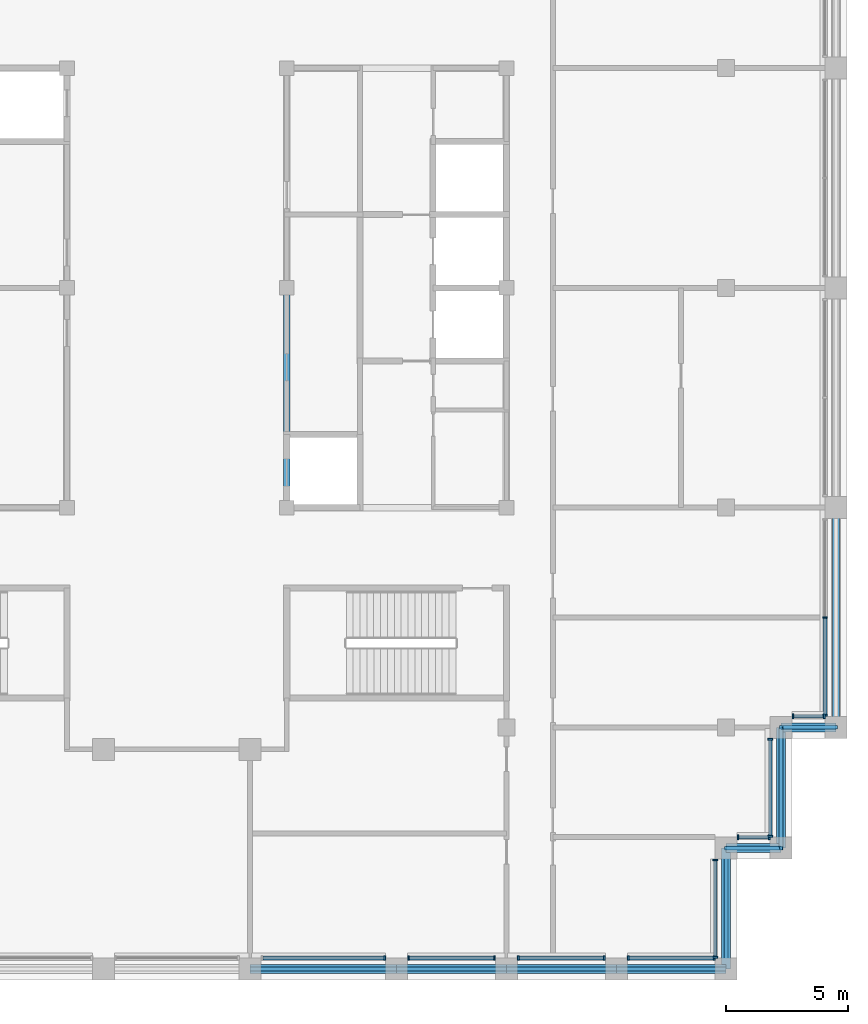
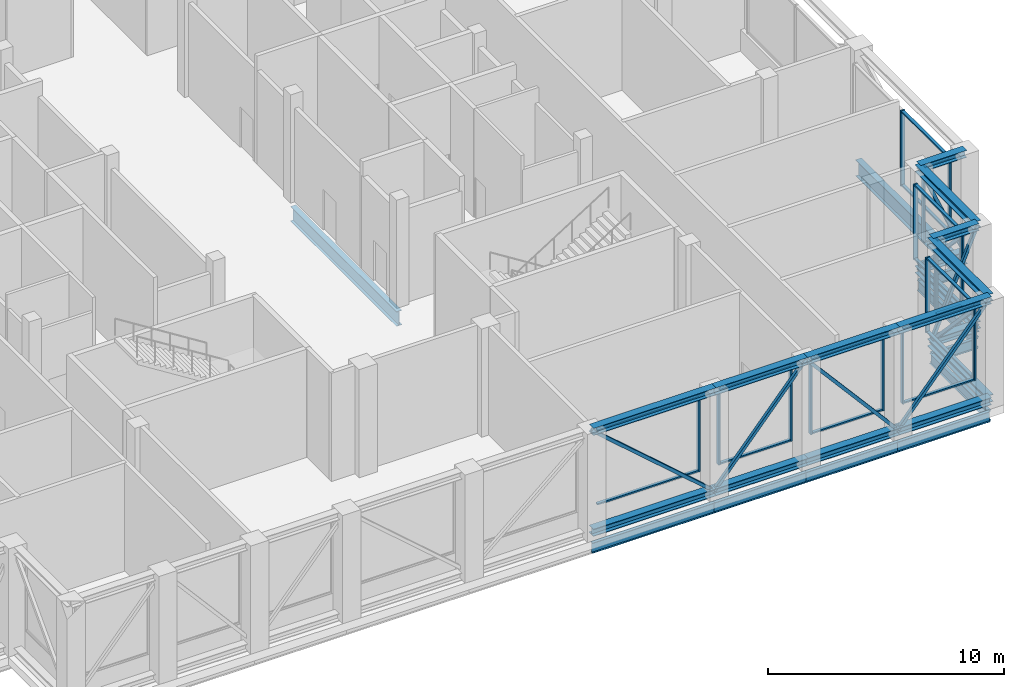
# One storey, part 4 of 17: 59 members, 10 beams, 9 elements without a shape of their own.
"""IFC4 building model written with IfcOpenShell, lengths in metres."""

from ifc_helpers import new_model, si_unit, direction, frame, origin, origin_2d, place, context, subcontext, project, spatial, rectangle, hollow_rectangle, i_section, extrude, material, layer, layer_set, material_profile, profile_set, type_object, element, aggregate, save


model = new_model("IFC4")

# Units and contexts
model_context = context("Model", 3, precision=1e-05, world=origin(), true_north=direction((0.0, 1.0)))
body_context = subcontext(model_context, "Body", "Model", "MODEL_VIEW")
ifc_project = project(units=[si_unit("LENGTHUNIT", "METRE"), si_unit("AREAUNIT", "SQUARE_METRE"), si_unit("VOLUMEUNIT", "CUBIC_METRE"), si_unit("PLANEANGLEUNIT", "RADIAN"), si_unit("MASSUNIT", "GRAM", prefix="KILO")], contexts=[model_context])

# Site, building, storey
site_placement = place(None, origin())
site = spatial("IfcSite", under=ifc_project, at=site_placement, CompositionType="ELEMENT")
building_placement = place(site_placement, origin())
building = spatial("IfcBuilding", under=site, at=building_placement, Name="Corbelhall Arena Tower", CompositionType="ELEMENT")
storey_placement = place(building_placement, frame((0.0, 0.0, 350.0)))
storey = spatial("IfcBuildingStorey", under=building, at=storey_placement, Name="L77", CompositionType="ELEMENT", Elevation=350.0)

# Curtain wall, member
ifc_material_1 = material(Name="Aluminium black anodised", Category="aluminium")
ifc_layer = layer(ifc_material_1, 0.199951171875)
ifc_layer_set = layer_set([ifc_layer], Name="EV-CW5 Sky band glazing")
curtain_wall_type = type_object("IfcCurtainWallType", Name="EV-CW5 Sky band glazing", PredefinedType="NOTDEFINED", material=ifc_layer_set)
curtain_wall_1_placement = place(storey_placement, origin())
curtain_wall_1 = element("IfcCurtainWall", 1, at=curtain_wall_1_placement, inside=storey, type_object=curtain_wall_type, Name="Curtain wall CW5C", PredefinedType="NOTDEFINED")
ifc_material_profile_1 = material_profile(ifc_material_1, rectangle(XDim=0.199951171875, YDim=0.074951171875, at=origin_2d()))
ifc_profile_set_1 = profile_set([ifc_material_profile_1], Name="Aluminium black anodised")
member_type_1 = type_object("IfcMemberType", Name="EV-CW5-MULLION", PredefinedType="MULLION", material=ifc_profile_set_1)
member_1_placement = place(storey_placement, frame((8.512451171875, -27.449951171875, 1.10009765625), z_axis=(0.0, 0.0, 1.0), x_axis=(0.0, 1.0, 0.0)))
member_1 = element("IfcMember", 2, at=member_1_placement, type_object=member_type_1, Name="CW5C mullion 2", PredefinedType="MULLION", context=body_context, shape_type="SweptSolid", body=[
    extrude(rectangle(XDim=0.199951171875, YDim=0.074951171875, at=origin_2d()), origin(), (0.0, 0.0, 1.0), 3.8994140625),
])

# Curtain wall, members
curtain_wall_2_placement = place(storey_placement, origin())
curtain_wall_2 = element("IfcCurtainWall", 3, at=curtain_wall_2_placement, inside=storey, type_object=curtain_wall_type, Name="Curtain wall CW5A", PredefinedType="NOTDEFINED")
member_2_placement = place(storey_placement, frame((9.487548828125, -27.449951171875, 1.10009765625), z_axis=(0.0, 0.0, 1.0), x_axis=(0.0, 1.0, 0.0)))
member_2 = element("IfcMember", 4, at=member_2_placement, type_object=member_type_1, Name="CW5A mullion 1", PredefinedType="MULLION", context=body_context, shape_type="SweptSolid", body=[
    extrude(rectangle(XDim=0.199951171875, YDim=0.074951171875, at=origin_2d()), origin(), (0.0, 0.0, 1.0), 3.8994140625),
])
member_3_placement = place(storey_placement, frame((13.012451171875, -27.449951171875, 1.10009765625), z_axis=(0.0, 0.0, 1.0), x_axis=(0.0, 1.0, 0.0)))
member_3 = element("IfcMember", 5, at=member_3_placement, type_object=member_type_1, Name="CW5A mullion 2", PredefinedType="MULLION", context=body_context, shape_type="SweptSolid", body=[
    extrude(rectangle(XDim=0.199951171875, YDim=0.074951171875, at=origin_2d()), origin(), (0.0, 0.0, 1.0), 3.8994140625),
])

curtain_wall_3_placement = place(storey_placement, origin())
curtain_wall_3 = element("IfcCurtainWall", 6, at=curtain_wall_3_placement, inside=storey, type_object=curtain_wall_type, Name="Curtain wall CW5A", PredefinedType="NOTDEFINED")
member_4_placement = place(storey_placement, frame((13.987548828125, -27.449951171875, 1.10009765625), z_axis=(0.0, 0.0, 1.0), x_axis=(0.0, 1.0, 0.0)))
member_4 = element("IfcMember", 7, at=member_4_placement, type_object=member_type_1, Name="CW5A mullion 1", PredefinedType="MULLION", context=body_context, shape_type="SweptSolid", body=[
    extrude(rectangle(XDim=0.199951171875, YDim=0.074951171875, at=origin_2d()), origin(), (0.0, 0.0, 1.0), 3.8994140625),
])
member_5_placement = place(storey_placement, frame((17.512451171875, -27.449951171875, 1.10009765625), z_axis=(0.0, 0.0, 1.0), x_axis=(0.0, 1.0, 0.0)))
member_5 = element("IfcMember", 8, at=member_5_placement, type_object=member_type_1, Name="CW5A mullion 2", PredefinedType="MULLION", context=body_context, shape_type="SweptSolid", body=[
    extrude(rectangle(XDim=0.199951171875, YDim=0.074951171875, at=origin_2d()), origin(), (0.0, 0.0, 1.0), 3.8994140625),
])

curtain_wall_4_placement = place(storey_placement, origin())
curtain_wall_4 = element("IfcCurtainWall", 9, at=curtain_wall_4_placement, inside=storey, type_object=curtain_wall_type, Name="Curtain wall CW5A", PredefinedType="NOTDEFINED")
member_6_placement = place(storey_placement, frame((18.487548828125, -27.449951171875, 1.10009765625), z_axis=(0.0, 0.0, 1.0), x_axis=(0.0, 1.0, 0.0)))
member_6 = element("IfcMember", 10, at=member_6_placement, type_object=member_type_1, Name="CW5A mullion 1", PredefinedType="MULLION", context=body_context, shape_type="SweptSolid", body=[
    extrude(rectangle(XDim=0.199951171875, YDim=0.074951171875, at=origin_2d()), origin(), (0.0, 0.0, 1.0), 3.8994140625),
])
member_7_placement = place(storey_placement, frame((22.012451171875, -27.449951171875, 1.10009765625), z_axis=(0.0, 0.0, 1.0), x_axis=(0.0, 1.0, 0.0)))
member_7 = element("IfcMember", 11, at=member_7_placement, type_object=member_type_1, Name="CW5A mullion 2", PredefinedType="MULLION", context=body_context, shape_type="SweptSolid", body=[
    extrude(rectangle(XDim=0.199951171875, YDim=0.074951171875, at=origin_2d()), origin(), (0.0, 0.0, 1.0), 3.8994140625),
])

curtain_wall_5_placement = place(storey_placement, origin())
curtain_wall_5 = element("IfcCurtainWall", 12, at=curtain_wall_5_placement, inside=storey, type_object=curtain_wall_type, Name="Curtain wall CW5", PredefinedType="NOTDEFINED")
member_8_placement = place(storey_placement, frame((22.050048828125, -27.41259765625, 1.10009765625), z_axis=(0.0, 0.0, 1.0), x_axis=(-1.0, 0.0, 0.0)))
member_8 = element("IfcMember", 13, at=member_8_placement, type_object=member_type_1, Name="CW5 mullion 1", PredefinedType="MULLION", context=body_context, shape_type="SweptSolid", body=[
    extrude(rectangle(XDim=0.199951171875, YDim=0.074951171875, at=origin_2d()), origin(), (0.0, 0.0, 1.0), 3.8994140625),
])
member_9_placement = place(storey_placement, frame((22.050048828125, -23.4375, 1.10009765625), z_axis=(0.0, 0.0, 1.0), x_axis=(-1.0, 0.0, 0.0)))
member_9 = element("IfcMember", 14, at=member_9_placement, type_object=member_type_1, Name="CW5 mullion 2", PredefinedType="MULLION", context=body_context, shape_type="SweptSolid", body=[
    extrude(rectangle(XDim=0.199951171875, YDim=0.074951171875, at=origin_2d()), origin(), (0.0, 0.0, 1.0), 3.8994140625),
])

curtain_wall_6_placement = place(storey_placement, origin())
curtain_wall_6 = element("IfcCurtainWall", 15, at=curtain_wall_6_placement, inside=storey, type_object=curtain_wall_type, Name="Curtain wall CW5B", PredefinedType="NOTDEFINED")
member_10_placement = place(storey_placement, frame((22.987548828125, -22.5, 1.10009765625), z_axis=(0.0, 0.0, 1.0), x_axis=(0.0, 1.0, 0.0)))
member_10 = element("IfcMember", 16, at=member_10_placement, type_object=member_type_1, Name="CW5B mullion 1", PredefinedType="MULLION", context=body_context, shape_type="SweptSolid", body=[
    extrude(rectangle(XDim=0.199951171875, YDim=0.074951171875, at=origin_2d()), origin(), (0.0, 0.0, 1.0), 3.8994140625),
])
member_11_placement = place(storey_placement, frame((24.262451171875, -22.5, 1.10009765625), z_axis=(0.0, 0.0, 1.0), x_axis=(0.0, 1.0, 0.0)))
member_11 = element("IfcMember", 17, at=member_11_placement, type_object=member_type_1, Name="CW5B mullion 2", PredefinedType="MULLION", context=body_context, shape_type="SweptSolid", body=[
    extrude(rectangle(XDim=0.199951171875, YDim=0.074951171875, at=origin_2d()), origin(), (0.0, 0.0, 1.0), 3.8994140625),
])

curtain_wall_7_placement = place(storey_placement, origin())
curtain_wall_7 = element("IfcCurtainWall", 18, at=curtain_wall_7_placement, inside=storey, type_object=curtain_wall_type, Name="Curtain wall CW5", PredefinedType="NOTDEFINED")
member_12_placement = place(storey_placement, frame((24.300048828125, -22.46240234375, 1.10009765625), z_axis=(0.0, 0.0, 1.0), x_axis=(-1.0, 0.0, 0.0)))
member_12 = element("IfcMember", 19, at=member_12_placement, type_object=member_type_1, Name="CW5 mullion 1", PredefinedType="MULLION", context=body_context, shape_type="SweptSolid", body=[
    extrude(rectangle(XDim=0.199951171875, YDim=0.074951171875, at=origin_2d()), origin(), (0.0, 0.0, 1.0), 3.8994140625),
])
member_13_placement = place(storey_placement, frame((24.300048828125, -18.487548828125, 1.10009765625), z_axis=(0.0, 0.0, 1.0), x_axis=(-1.0, 0.0, 0.0)))
member_13 = element("IfcMember", 20, at=member_13_placement, type_object=member_type_1, Name="CW5 mullion 2", PredefinedType="MULLION", context=body_context, shape_type="SweptSolid", body=[
    extrude(rectangle(XDim=0.199951171875, YDim=0.074951171875, at=origin_2d()), origin(), (0.0, 0.0, 1.0), 3.8994140625),
])

curtain_wall_8_placement = place(storey_placement, origin())
curtain_wall_8 = element("IfcCurtainWall", 21, at=curtain_wall_8_placement, inside=storey, type_object=curtain_wall_type, Name="Curtain wall CW5B", PredefinedType="NOTDEFINED")
member_14_placement = place(storey_placement, frame((25.237548828125, -17.550048828125, 1.10009765625), z_axis=(0.0, 0.0, 1.0), x_axis=(0.0, 1.0, 0.0)))
member_14 = element("IfcMember", 22, at=member_14_placement, type_object=member_type_1, Name="CW5B mullion 1", PredefinedType="MULLION", context=body_context, shape_type="SweptSolid", body=[
    extrude(rectangle(XDim=0.199951171875, YDim=0.074951171875, at=origin_2d()), origin(), (0.0, 0.0, 1.0), 3.8994140625),
])
member_15_placement = place(storey_placement, frame((26.512451171875, -17.550048828125, 1.10009765625), z_axis=(0.0, 0.0, 1.0), x_axis=(0.0, 1.0, 0.0)))
member_15 = element("IfcMember", 23, at=member_15_placement, type_object=member_type_1, Name="CW5B mullion 2", PredefinedType="MULLION", context=body_context, shape_type="SweptSolid", body=[
    extrude(rectangle(XDim=0.199951171875, YDim=0.074951171875, at=origin_2d()), origin(), (0.0, 0.0, 1.0), 3.8994140625),
])

curtain_wall_9_placement = place(storey_placement, origin())
curtain_wall_9 = element("IfcCurtainWall", 24, at=curtain_wall_9_placement, inside=storey, type_object=curtain_wall_type, Name="Curtain wall CW5", PredefinedType="NOTDEFINED")
member_16_placement = place(storey_placement, frame((26.550048828125, -17.512451171875, 1.10009765625), z_axis=(0.0, 0.0, 1.0), x_axis=(-1.0, 0.0, 0.0)))
member_16 = element("IfcMember", 25, at=member_16_placement, type_object=member_type_1, Name="CW5 mullion 1", PredefinedType="MULLION", context=body_context, shape_type="SweptSolid", body=[
    extrude(rectangle(XDim=0.199951171875, YDim=0.074951171875, at=origin_2d()), origin(), (0.0, 0.0, 1.0), 3.8994140625),
])
member_17_placement = place(storey_placement, frame((26.550048828125, -13.5, 1.10009765625), z_axis=(0.0, 0.0, 1.0), x_axis=(-1.0, 0.0, 0.0)))
member_17 = element("IfcMember", 26, at=member_17_placement, type_object=member_type_1, Name="CW5 mullion 2", PredefinedType="MULLION", context=body_context, shape_type="SweptSolid", body=[
    extrude(rectangle(XDim=0.199951171875, YDim=0.074951171875, at=origin_2d()), origin(), (0.0, 0.0, 1.0), 3.8994140625),
])

# Member
ifc_material_profile_2 = material_profile(ifc_material_1, rectangle(XDim=0.14990234375, YDim=0.074951171875, at=origin_2d()))
ifc_profile_set_2 = profile_set([ifc_material_profile_2], Name="Aluminium black anodised")
member_type_2 = type_object("IfcMemberType", Name="EV-CW5-TRANSOM", PredefinedType="USERDEFINED", material=ifc_profile_set_2)
member_18_placement = place(storey_placement, frame((3.52490234375, -27.449951171875, 1.137451171875), z_axis=(1.0, 0.0, 0.0), x_axis=(0.0, 1.0, 0.0)))
member_18 = element("IfcMember", 27, at=member_18_placement, type_object=member_type_2, Name="CW5C transom 1.1", ObjectType="transom", PredefinedType="USERDEFINED", context=body_context, shape_type="SweptSolid", body=[
    extrude(rectangle(XDim=0.14990234375, YDim=0.074951171875, at=origin_2d()), origin(), (0.0, 0.0, 1.0), 4.9501953125),
])

member_19_placement = place(storey_placement, frame((3.52490234375, -27.449951171875, 4.962158203125), z_axis=(1.0, 0.0, 0.0), x_axis=(0.0, 1.0, 0.0)))
member_19 = element("IfcMember", 28, at=member_19_placement, type_object=member_type_2, Name="CW5C transom 1.2", ObjectType="transom", PredefinedType="USERDEFINED", context=body_context, shape_type="SweptSolid", body=[
    extrude(rectangle(XDim=0.14990234375, YDim=0.074951171875, at=origin_2d()), origin(), (0.0, 0.0, 1.0), 4.9501953125),
])

aggregate(curtain_wall_1, [member_1, member_18, member_19])

member_20_placement = place(storey_placement, frame((9.52490234375, -27.449951171875, 1.137451171875), z_axis=(1.0, 0.0, 0.0), x_axis=(0.0, 1.0, 0.0)))
member_20 = element("IfcMember", 29, at=member_20_placement, type_object=member_type_2, Name="CW5A transom 1.1", ObjectType="transom", PredefinedType="USERDEFINED", context=body_context, shape_type="SweptSolid", body=[
    extrude(rectangle(XDim=0.14990234375, YDim=0.074951171875, at=origin_2d()), origin(), (0.0, 0.0, 1.0), 3.4501953125),
])

member_21_placement = place(storey_placement, frame((9.52490234375, -27.449951171875, 4.962158203125), z_axis=(1.0, 0.0, 0.0), x_axis=(0.0, 1.0, 0.0)))
member_21 = element("IfcMember", 30, at=member_21_placement, type_object=member_type_2, Name="CW5A transom 1.2", ObjectType="transom", PredefinedType="USERDEFINED", context=body_context, shape_type="SweptSolid", body=[
    extrude(rectangle(XDim=0.14990234375, YDim=0.074951171875, at=origin_2d()), origin(), (0.0, 0.0, 1.0), 3.4501953125),
])

aggregate(curtain_wall_2, [member_2, member_3, member_20, member_21])

member_22_placement = place(storey_placement, frame((14.02490234375, -27.449951171875, 1.137451171875), z_axis=(1.0, 0.0, 0.0), x_axis=(0.0, 1.0, 0.0)))
member_22 = element("IfcMember", 31, at=member_22_placement, type_object=member_type_2, Name="CW5A transom 1.1", ObjectType="transom", PredefinedType="USERDEFINED", context=body_context, shape_type="SweptSolid", body=[
    extrude(rectangle(XDim=0.14990234375, YDim=0.074951171875, at=origin_2d()), origin(), (0.0, 0.0, 1.0), 3.4501953125),
])

member_23_placement = place(storey_placement, frame((14.02490234375, -27.449951171875, 4.962158203125), z_axis=(1.0, 0.0, 0.0), x_axis=(0.0, 1.0, 0.0)))
member_23 = element("IfcMember", 32, at=member_23_placement, type_object=member_type_2, Name="CW5A transom 1.2", ObjectType="transom", PredefinedType="USERDEFINED", context=body_context, shape_type="SweptSolid", body=[
    extrude(rectangle(XDim=0.14990234375, YDim=0.074951171875, at=origin_2d()), origin(), (0.0, 0.0, 1.0), 3.4501953125),
])

aggregate(curtain_wall_3, [member_4, member_5, member_22, member_23])

member_24_placement = place(storey_placement, frame((18.52490234375, -27.449951171875, 1.137451171875), z_axis=(1.0, 0.0, 0.0), x_axis=(0.0, 1.0, 0.0)))
member_24 = element("IfcMember", 33, at=member_24_placement, type_object=member_type_2, Name="CW5A transom 1.1", ObjectType="transom", PredefinedType="USERDEFINED", context=body_context, shape_type="SweptSolid", body=[
    extrude(rectangle(XDim=0.14990234375, YDim=0.074951171875, at=origin_2d()), origin(), (0.0, 0.0, 1.0), 3.4501953125),
])

member_25_placement = place(storey_placement, frame((18.52490234375, -27.449951171875, 4.962158203125), z_axis=(1.0, 0.0, 0.0), x_axis=(0.0, 1.0, 0.0)))
member_25 = element("IfcMember", 34, at=member_25_placement, type_object=member_type_2, Name="CW5A transom 1.2", ObjectType="transom", PredefinedType="USERDEFINED", context=body_context, shape_type="SweptSolid", body=[
    extrude(rectangle(XDim=0.14990234375, YDim=0.074951171875, at=origin_2d()), origin(), (0.0, 0.0, 1.0), 3.4501953125),
])

aggregate(curtain_wall_4, [member_6, member_7, member_24, member_25])

member_26_placement = place(storey_placement, frame((22.050048828125, -27.375, 1.137451171875), z_axis=(0.0, 1.0, 0.0), x_axis=(-1.0, 0.0, 0.0)))
member_26 = element("IfcMember", 35, at=member_26_placement, type_object=member_type_2, Name="CW5 transom 1.1", ObjectType="transom", PredefinedType="USERDEFINED", context=body_context, shape_type="SweptSolid", body=[
    extrude(rectangle(XDim=0.14990234375, YDim=0.074951171875, at=origin_2d()), origin(), (0.0, 0.0, 1.0), 3.89990234375),
])

member_27_placement = place(storey_placement, frame((22.050048828125, -27.375, 4.962158203125), z_axis=(0.0, 1.0, 0.0), x_axis=(-1.0, 0.0, 0.0)))
member_27 = element("IfcMember", 36, at=member_27_placement, type_object=member_type_2, Name="CW5 transom 1.2", ObjectType="transom", PredefinedType="USERDEFINED", context=body_context, shape_type="SweptSolid", body=[
    extrude(rectangle(XDim=0.14990234375, YDim=0.074951171875, at=origin_2d()), origin(), (0.0, 0.0, 1.0), 3.89990234375),
])

aggregate(curtain_wall_5, [member_8, member_9, member_26, member_27])

member_28_placement = place(storey_placement, frame((23.02490234375, -22.5, 1.137451171875), z_axis=(1.0, 0.0, 0.0), x_axis=(0.0, 1.0, 0.0)))
member_28 = element("IfcMember", 37, at=member_28_placement, type_object=member_type_2, Name="CW5B transom 1.1", ObjectType="transom", PredefinedType="USERDEFINED", context=body_context, shape_type="SweptSolid", body=[
    extrude(rectangle(XDim=0.14990234375, YDim=0.074951171875, at=origin_2d()), origin(), (0.0, 0.0, 1.0), 1.2001953125),
])

member_29_placement = place(storey_placement, frame((23.02490234375, -22.5, 4.962158203125), z_axis=(1.0, 0.0, 0.0), x_axis=(0.0, 1.0, 0.0)))
member_29 = element("IfcMember", 38, at=member_29_placement, type_object=member_type_2, Name="CW5B transom 1.2", ObjectType="transom", PredefinedType="USERDEFINED", context=body_context, shape_type="SweptSolid", body=[
    extrude(rectangle(XDim=0.14990234375, YDim=0.074951171875, at=origin_2d()), origin(), (0.0, 0.0, 1.0), 1.2001953125),
])

aggregate(curtain_wall_6, [member_10, member_11, member_28, member_29])

member_30_placement = place(storey_placement, frame((24.300048828125, -22.425048828125, 1.137451171875), z_axis=(0.0, 1.0, 0.0), x_axis=(-1.0, 0.0, 0.0)))
member_30 = element("IfcMember", 39, at=member_30_placement, type_object=member_type_2, Name="CW5 transom 1.1", ObjectType="transom", PredefinedType="USERDEFINED", context=body_context, shape_type="SweptSolid", body=[
    extrude(rectangle(XDim=0.14990234375, YDim=0.074951171875, at=origin_2d()), origin(), (0.0, 0.0, 1.0), 3.900146484375),
])

member_31_placement = place(storey_placement, frame((24.300048828125, -22.425048828125, 4.962158203125), z_axis=(0.0, 1.0, 0.0), x_axis=(-1.0, 0.0, 0.0)))
member_31 = element("IfcMember", 40, at=member_31_placement, type_object=member_type_2, Name="CW5 transom 1.2", ObjectType="transom", PredefinedType="USERDEFINED", context=body_context, shape_type="SweptSolid", body=[
    extrude(rectangle(XDim=0.14990234375, YDim=0.074951171875, at=origin_2d()), origin(), (0.0, 0.0, 1.0), 3.900146484375),
])

aggregate(curtain_wall_7, [member_12, member_13, member_30, member_31])

member_32_placement = place(storey_placement, frame((25.27490234375, -17.550048828125, 1.137451171875), z_axis=(1.0, 0.0, 0.0), x_axis=(0.0, 1.0, 0.0)))
member_32 = element("IfcMember", 41, at=member_32_placement, type_object=member_type_2, Name="CW5B transom 1.1", ObjectType="transom", PredefinedType="USERDEFINED", context=body_context, shape_type="SweptSolid", body=[
    extrude(rectangle(XDim=0.14990234375, YDim=0.074951171875, at=origin_2d()), origin(), (0.0, 0.0, 1.0), 1.2001953125),
])

member_33_placement = place(storey_placement, frame((25.27490234375, -17.550048828125, 4.962158203125), z_axis=(1.0, 0.0, 0.0), x_axis=(0.0, 1.0, 0.0)))
member_33 = element("IfcMember", 42, at=member_33_placement, type_object=member_type_2, Name="CW5B transom 1.2", ObjectType="transom", PredefinedType="USERDEFINED", context=body_context, shape_type="SweptSolid", body=[
    extrude(rectangle(XDim=0.14990234375, YDim=0.074951171875, at=origin_2d()), origin(), (0.0, 0.0, 1.0), 1.2001953125),
])

aggregate(curtain_wall_8, [member_14, member_15, member_32, member_33])

member_34_placement = place(storey_placement, frame((26.550048828125, -17.47509765625, 1.137451171875), z_axis=(0.0, 1.0, 0.0), x_axis=(-1.0, 0.0, 0.0)))
member_34 = element("IfcMember", 43, at=member_34_placement, type_object=member_type_2, Name="CW5 transom 1.1", ObjectType="transom", PredefinedType="USERDEFINED", context=body_context, shape_type="SweptSolid", body=[
    extrude(rectangle(XDim=0.14990234375, YDim=0.074951171875, at=origin_2d()), origin(), (0.0, 0.0, 1.0), 3.9375),
])

member_35_placement = place(storey_placement, frame((26.550048828125, -17.47509765625, 4.962158203125), z_axis=(0.0, 1.0, 0.0), x_axis=(-1.0, 0.0, 0.0)))
member_35 = element("IfcMember", 44, at=member_35_placement, type_object=member_type_2, Name="CW5 transom 1.2", ObjectType="transom", PredefinedType="USERDEFINED", context=body_context, shape_type="SweptSolid", body=[
    extrude(rectangle(XDim=0.14990234375, YDim=0.074951171875, at=origin_2d()), origin(), (0.0, 0.0, 1.0), 3.9375),
])

aggregate(curtain_wall_9, [member_16, member_17, member_34, member_35])

# Beam
ifc_material_2 = material(Name="Steel ASTM A992 Gr50", Category="steel")
ifc_material_profile_3 = material_profile(ifc_material_2, i_section(OverallWidth=0.2666015625, OverallDepth=0.761962890625, WebThickness=0.014404296875, FlangeThickness=0.021484375, at=origin_2d()))
ifc_profile_set_3 = profile_set([ifc_material_profile_3], Name="Steel ASTM A992 Gr50")
beam_type_1 = type_object("IfcBeamType", Name="ST-BEAM-W30x116", PredefinedType="BEAM", material=ifc_profile_set_3)
beam_1_placement = place(storey_placement, frame((4.5, -9.0, -0.791015625), z_axis=(0.0, 1.0, 0.0), x_axis=(-1.0, 0.0, 0.0)))
element("IfcBeam", 45, at=beam_1_placement, inside=storey, type_object=beam_type_1, Name="Beam CEE 7", PredefinedType="BEAM", context=body_context, shape_type="SweptSolid", body=[
    extrude(i_section(OverallWidth=0.2666015625, OverallDepth=0.761962890625, WebThickness=0.014404296875, FlangeThickness=0.021484375, at=origin_2d()), origin(), (0.0, 0.0, 1.0), 9.0),
])

# Members
ifc_material_profile_4 = material_profile(ifc_material_2, i_section(OverallWidth=0.373291015625, OverallDepth=0.373291015625, WebThickness=0.016357421875, FlangeThickness=0.026123046875, at=origin_2d()))
ifc_profile_set_4 = profile_set([ifc_material_profile_4], Name="Steel ASTM A992 Gr50")
member_type_3 = type_object("IfcMemberType", Name="ST-CHORD-W14x132", PredefinedType="CHORD", material=ifc_profile_set_4)
for number, where, z_axis, x_axis, name in (
    (46, (27.0, -18.0, 0.186767578125), (-1.0, 0.0, 0.0), (0.0, -1.0, 0.0), "Truss chord BC 5"),
    (47, (27.0, -18.0, 5.412841796875), (-1.0, 0.0, 0.0), (0.0, -1.0, 0.0), "Truss chord TC 5"),
):
    element("IfcMember", number, at=place(storey_placement, frame(where, z_axis=z_axis, x_axis=x_axis)), inside=storey, type_object=member_type_3, Name=name, PredefinedType="CHORD", context=body_context, shape_type="SweptSolid", body=[
        extrude(i_section(OverallWidth=0.373291015625, OverallDepth=0.373291015625, WebThickness=0.016357421875, FlangeThickness=0.026123046875, at=origin_2d()), origin(), (0.0, 0.0, 1.0), 2.25),
    ])
for number, where, z_axis, x_axis, name in (
    (48, (9.0, -27.89990234375, 0.186767578125), (-1.0, 0.0, 0.0), (0.0, -1.0, 0.0), "Truss chord BC 17"),
    (49, (9.0, -27.89990234375, 5.412841796875), (-1.0, 0.0, 0.0), (0.0, -1.0, 0.0), "Truss chord TC 17"),
):
    element("IfcMember", number, at=place(storey_placement, frame(where, z_axis=z_axis, x_axis=x_axis)), inside=storey, type_object=member_type_3, Name=name, PredefinedType="CHORD", context=body_context, shape_type="SweptSolid", body=[
        extrude(i_section(OverallWidth=0.373291015625, OverallDepth=0.373291015625, WebThickness=0.016357421875, FlangeThickness=0.026123046875, at=origin_2d()), origin(), (0.0, 0.0, 1.0), 6.0),
    ])
for number, where, z_axis, x_axis, name in (
    (50, (13.5, -27.89990234375, 0.186767578125), (-1.0, 0.0, 0.0), (0.0, -1.0, 0.0), "Truss chord BC 18"),
    (51, (13.5, -27.89990234375, 5.412841796875), (-1.0, 0.0, 0.0), (0.0, -1.0, 0.0), "Truss chord TC 18"),
    (52, (18.0, -27.89990234375, 0.186767578125), (-1.0, 0.0, 0.0), (0.0, -1.0, 0.0), "Truss chord BC 19"),
    (53, (18.0, -27.89990234375, 5.412841796875), (-1.0, 0.0, 0.0), (0.0, -1.0, 0.0), "Truss chord TC 19"),
    (54, (22.5, -27.89990234375, 0.186767578125), (-1.0, 0.0, 0.0), (0.0, -1.0, 0.0), "Truss chord BC 20"),
    (55, (22.5, -27.89990234375, 5.412841796875), (-1.0, 0.0, 0.0), (0.0, -1.0, 0.0), "Truss chord TC 20"),
):
    element("IfcMember", number, at=place(storey_placement, frame(where, z_axis=z_axis, x_axis=x_axis)), inside=storey, type_object=member_type_3, Name=name, PredefinedType="CHORD", context=body_context, shape_type="SweptSolid", body=[
        extrude(i_section(OverallWidth=0.373291015625, OverallDepth=0.373291015625, WebThickness=0.016357421875, FlangeThickness=0.026123046875, at=origin_2d()), origin(), (0.0, 0.0, 1.0), 4.5),
    ])
for number, where, z_axis, x_axis, name in (
    (56, (22.5, -22.949951171875, 0.186767578125), (0.0, -1.0, 0.0), (1.0, 0.0, 0.0), "Truss chord BC 37"),
    (57, (22.5, -22.949951171875, 5.412841796875), (0.0, -1.0, 0.0), (1.0, 0.0, 0.0), "Truss chord TC 37"),
):
    element("IfcMember", number, at=place(storey_placement, frame(where, z_axis=z_axis, x_axis=x_axis)), inside=storey, type_object=member_type_3, Name=name, PredefinedType="CHORD", context=body_context, shape_type="SweptSolid", body=[
        extrude(i_section(OverallWidth=0.373291015625, OverallDepth=0.373291015625, WebThickness=0.016357421875, FlangeThickness=0.026123046875, at=origin_2d()), origin(), (0.0, 0.0, 1.0), 4.949951171875),
    ])
for number, where, z_axis, x_axis, name in (
    (58, (24.75, -22.949951171875, 0.186767578125), (-1.0, 0.0, 0.0), (0.0, -1.0, 0.0), "Truss chord BC 38"),
    (59, (24.75, -22.949951171875, 5.412841796875), (-1.0, 0.0, 0.0), (0.0, -1.0, 0.0), "Truss chord TC 38"),
):
    element("IfcMember", number, at=place(storey_placement, frame(where, z_axis=z_axis, x_axis=x_axis)), inside=storey, type_object=member_type_3, Name=name, PredefinedType="CHORD", context=body_context, shape_type="SweptSolid", body=[
        extrude(i_section(OverallWidth=0.373291015625, OverallDepth=0.373291015625, WebThickness=0.016357421875, FlangeThickness=0.026123046875, at=origin_2d()), origin(), (0.0, 0.0, 1.0), 2.25),
    ])
for number, where, z_axis, x_axis, name in (
    (60, (24.75, -18.0, 0.186767578125), (0.0, -1.0, 0.0), (1.0, 0.0, 0.0), "Truss chord BC 39"),
    (61, (24.75, -18.0, 5.412841796875), (0.0, -1.0, 0.0), (1.0, 0.0, 0.0), "Truss chord TC 39"),
):
    element("IfcMember", number, at=place(storey_placement, frame(where, z_axis=z_axis, x_axis=x_axis)), inside=storey, type_object=member_type_3, Name=name, PredefinedType="CHORD", context=body_context, shape_type="SweptSolid", body=[
        extrude(i_section(OverallWidth=0.373291015625, OverallDepth=0.373291015625, WebThickness=0.016357421875, FlangeThickness=0.026123046875, at=origin_2d()), origin(), (0.0, 0.0, 1.0), 4.949951171875),
    ])

# Beams
ifc_material_profile_5 = material_profile(ifc_material_2, i_section(OverallWidth=0.16650390625, OverallDepth=0.535888671875, WebThickness=0.01025390625, FlangeThickness=0.0166015625, at=origin_2d()))
ifc_profile_set_5 = profile_set([ifc_material_profile_5], Name="Steel ASTM A992 Gr50")
beam_type_2 = type_object("IfcBeamType", Name="ST-SPANDREL-W21x57", PredefinedType="SPANDREL", material=ifc_profile_set_5)
beam_2_placement = place(storey_placement, frame((27.0, -18.0, -0.677978515625), z_axis=(-1.0, 0.0, 0.0), x_axis=(0.0, -1.0, 0.0)))
element("IfcBeam", 62, at=beam_2_placement, inside=storey, type_object=beam_type_2, Name="Beam SP 5", PredefinedType="SPANDREL", context=body_context, shape_type="SweptSolid", body=[
    extrude(i_section(OverallWidth=0.16650390625, OverallDepth=0.535888671875, WebThickness=0.01025390625, FlangeThickness=0.0166015625, at=origin_2d()), origin(), (0.0, 0.0, 1.0), 2.25),
])
beam_3_placement = place(storey_placement, frame((9.0, -27.89990234375, -0.677978515625), z_axis=(-1.0, 0.0, 0.0), x_axis=(0.0, -1.0, 0.0)))
element("IfcBeam", 63, at=beam_3_placement, inside=storey, type_object=beam_type_2, Name="Beam SP 17", PredefinedType="SPANDREL", context=body_context, shape_type="SweptSolid", body=[
    extrude(i_section(OverallWidth=0.16650390625, OverallDepth=0.535888671875, WebThickness=0.01025390625, FlangeThickness=0.0166015625, at=origin_2d()), origin(), (0.0, 0.0, 1.0), 6.0),
])
for number, where, z_axis, x_axis, name in (
    (64, (13.5, -27.89990234375, -0.677978515625), (-1.0, 0.0, 0.0), (0.0, -1.0, 0.0), "Beam SP 18"),
    (65, (18.0, -27.89990234375, -0.677978515625), (-1.0, 0.0, 0.0), (0.0, -1.0, 0.0), "Beam SP 19"),
    (66, (22.5, -27.89990234375, -0.677978515625), (-1.0, 0.0, 0.0), (0.0, -1.0, 0.0), "Beam SP 20"),
):
    element("IfcBeam", number, at=place(storey_placement, frame(where, z_axis=z_axis, x_axis=x_axis)), inside=storey, type_object=beam_type_2, Name=name, PredefinedType="SPANDREL", context=body_context, shape_type="SweptSolid", body=[
        extrude(i_section(OverallWidth=0.16650390625, OverallDepth=0.535888671875, WebThickness=0.01025390625, FlangeThickness=0.0166015625, at=origin_2d()), origin(), (0.0, 0.0, 1.0), 4.5),
    ])
beam_4_placement = place(storey_placement, frame((22.5, -22.949951171875, -0.677978515625), z_axis=(0.0, -1.0, 0.0), x_axis=(1.0, 0.0, 0.0)))
element("IfcBeam", 67, at=beam_4_placement, inside=storey, type_object=beam_type_2, Name="Beam SP 37", PredefinedType="SPANDREL", context=body_context, shape_type="SweptSolid", body=[
    extrude(i_section(OverallWidth=0.16650390625, OverallDepth=0.535888671875, WebThickness=0.01025390625, FlangeThickness=0.0166015625, at=origin_2d()), origin(), (0.0, 0.0, 1.0), 4.949951171875),
])
beam_5_placement = place(storey_placement, frame((24.75, -22.949951171875, -0.677978515625), z_axis=(-1.0, 0.0, 0.0), x_axis=(0.0, -1.0, 0.0)))
element("IfcBeam", 68, at=beam_5_placement, inside=storey, type_object=beam_type_2, Name="Beam SP 38", PredefinedType="SPANDREL", context=body_context, shape_type="SweptSolid", body=[
    extrude(i_section(OverallWidth=0.16650390625, OverallDepth=0.535888671875, WebThickness=0.01025390625, FlangeThickness=0.0166015625, at=origin_2d()), origin(), (0.0, 0.0, 1.0), 2.25),
])
beam_6_placement = place(storey_placement, frame((24.75, -18.0, -0.677978515625), z_axis=(0.0, -1.0, 0.0), x_axis=(1.0, 0.0, 0.0)))
element("IfcBeam", 69, at=beam_6_placement, inside=storey, type_object=beam_type_2, Name="Beam SP 39", PredefinedType="SPANDREL", context=body_context, shape_type="SweptSolid", body=[
    extrude(i_section(OverallWidth=0.16650390625, OverallDepth=0.535888671875, WebThickness=0.01025390625, FlangeThickness=0.0166015625, at=origin_2d()), origin(), (0.0, 0.0, 1.0), 4.949951171875),
])
ifc_material_profile_6 = material_profile(ifc_material_2, i_section(OverallWidth=0.2919921875, OverallDepth=0.845703125, WebThickness=0.015380859375, FlangeThickness=0.0244140625, at=origin_2d()))
ifc_profile_set_6 = profile_set([ifc_material_profile_6], Name="Steel ASTM A992 Gr50")
beam_type_3 = type_object("IfcBeamType", Name="ST-SPANDREL-W33x141", PredefinedType="SPANDREL", material=ifc_profile_set_6)
beam_7_placement = place(storey_placement, frame((27.0, -9.0, -0.8330078125), z_axis=(0.0, -1.0, 0.0), x_axis=(1.0, 0.0, 0.0)))
element("IfcBeam", 70, at=beam_7_placement, inside=storey, type_object=beam_type_3, Name="Beam SP 4", PredefinedType="SPANDREL", context=body_context, shape_type="SweptSolid", body=[
    extrude(i_section(OverallWidth=0.2919921875, OverallDepth=0.845703125, WebThickness=0.015380859375, FlangeThickness=0.0244140625, at=origin_2d()), origin(), (0.0, 0.0, 1.0), 9.0),
])

# Members
ifc_material_3 = material(Name="Steel ASTM A500 Gr C", Category="steel")
ifc_material_profile_7 = material_profile(ifc_material_3, hollow_rectangle(XDim=0.15234375, YDim=0.15234375, WallThickness=0.0087890625, at=origin_2d()))
ifc_profile_set_7 = profile_set([ifc_material_profile_7], Name="Steel ASTM A500 Gr C")
member_type_4 = type_object("IfcMemberType", Name="ST-STRUT-HSS6x6x3/8", PredefinedType="STRUT", material=ifc_profile_set_7)
member_36_placement = place(storey_placement, frame((27.0, -18.0, 0.186767578125), z_axis=(-0.395441256722, 0.0, 0.918491269682), x_axis=(0.0, -1.0, 0.0)))
element("IfcMember", 71, at=member_36_placement, inside=storey, type_object=member_type_4, Name="Truss diagonal 5", PredefinedType="STRUT", context=body_context, shape_type="SweptSolid", body=[
    extrude(hollow_rectangle(XDim=0.15234375, YDim=0.15234375, WallThickness=0.0087890625, at=origin_2d()), origin(), (0.0, 0.0, 1.0), 5.68994140625),
])
member_37_placement = place(storey_placement, frame((9.0, -27.89990234375, 0.186767578125), z_axis=(-0.754064928794, 0.0, 0.656799880605), x_axis=(0.0, -1.0, 0.0)))
element("IfcMember", 72, at=member_37_placement, inside=storey, type_object=member_type_4, Name="Truss diagonal 17", PredefinedType="STRUT", context=body_context, shape_type="SweptSolid", body=[
    extrude(hollow_rectangle(XDim=0.15234375, YDim=0.15234375, WallThickness=0.0087890625, at=origin_2d()), origin(), (0.0, 0.0, 1.0), 7.956787109375),
])
for number, where, z_axis, x_axis, name in (
    (73, (9.0, -27.89990234375, 0.186767578125), (0.65250393695, 0.0, 0.757785333894), (0.0, 1.0, 0.0), "Truss diagonal 18"),
    (74, (18.0, -27.89990234375, 0.186767578125), (-0.65250393695, 0.0, 0.757785333894), (0.0, -1.0, 0.0), "Truss diagonal 19"),
    (75, (18.0, -27.89990234375, 0.186767578125), (0.65250393695, 0.0, 0.757785333894), (0.0, 1.0, 0.0), "Truss diagonal 20"),
):
    element("IfcMember", number, at=place(storey_placement, frame(where, z_axis=z_axis, x_axis=x_axis)), inside=storey, type_object=member_type_4, Name=name, PredefinedType="STRUT", context=body_context, shape_type="SweptSolid", body=[
        extrude(hollow_rectangle(XDim=0.15234375, YDim=0.15234375, WallThickness=0.0087890625, at=origin_2d()), origin(), (0.0, 0.0, 1.0), 6.896484375),
    ])
member_38_placement = place(storey_placement, frame((22.5, -22.949951171875, 0.186767578125), z_axis=(0.0, -0.687666560631, 0.72602665336), x_axis=(1.0, 0.0, 0.0)))
element("IfcMember", 76, at=member_38_placement, inside=storey, type_object=member_type_4, Name="Truss diagonal 37", PredefinedType="STRUT", context=body_context, shape_type="SweptSolid", body=[
    extrude(hollow_rectangle(XDim=0.15234375, YDim=0.15234375, WallThickness=0.0087890625, at=origin_2d()), origin(), (0.0, 0.0, 1.0), 7.1982421875),
])
member_39_placement = place(storey_placement, frame((22.5, -22.949951171875, 0.186767578125), z_axis=(0.395441256722, 0.0, 0.918491269682), x_axis=(0.0, 1.0, 0.0)))
element("IfcMember", 77, at=member_39_placement, inside=storey, type_object=member_type_4, Name="Truss diagonal 38", PredefinedType="STRUT", context=body_context, shape_type="SweptSolid", body=[
    extrude(hollow_rectangle(XDim=0.15234375, YDim=0.15234375, WallThickness=0.0087890625, at=origin_2d()), origin(), (0.0, 0.0, 1.0), 5.68994140625),
])
member_40_placement = place(storey_placement, frame((24.75, -18.0, 0.186767578125), z_axis=(0.0, -0.687666560631, 0.72602665336), x_axis=(1.0, 0.0, 0.0)))
element("IfcMember", 78, at=member_40_placement, inside=storey, type_object=member_type_4, Name="Truss diagonal 39", PredefinedType="STRUT", context=body_context, shape_type="SweptSolid", body=[
    extrude(hollow_rectangle(XDim=0.15234375, YDim=0.15234375, WallThickness=0.0087890625, at=origin_2d()), origin(), (0.0, 0.0, 1.0), 7.1982421875),
])

save(model, "model.ifc")
